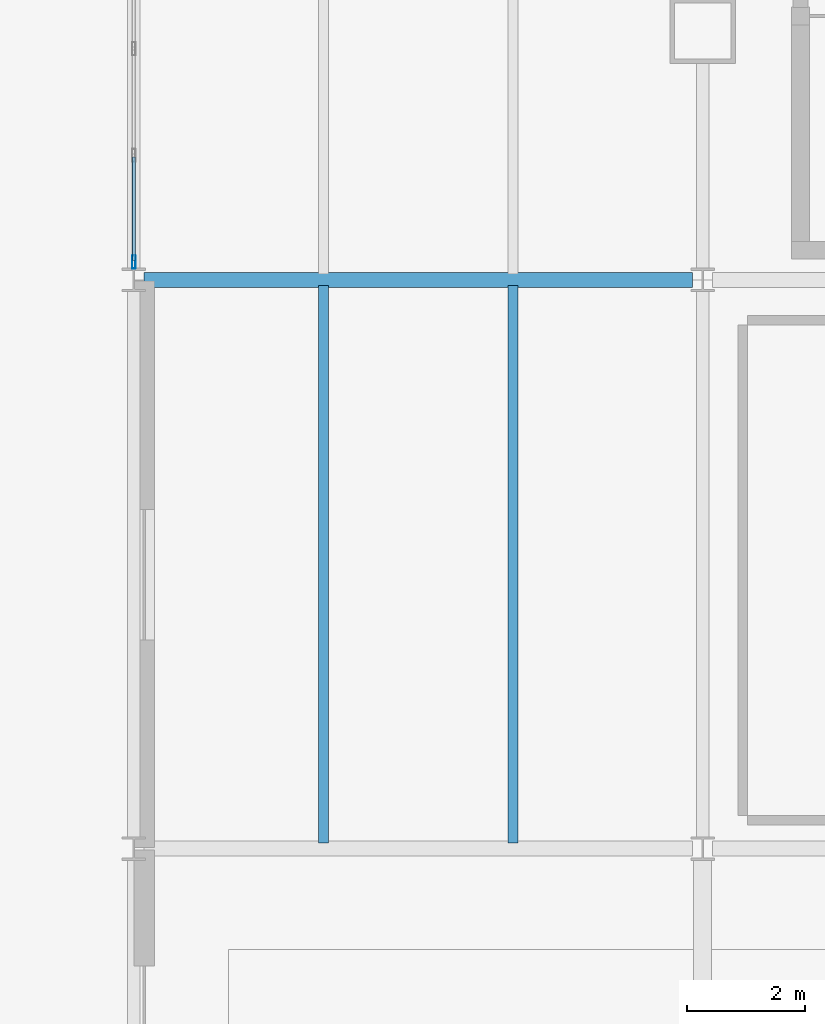
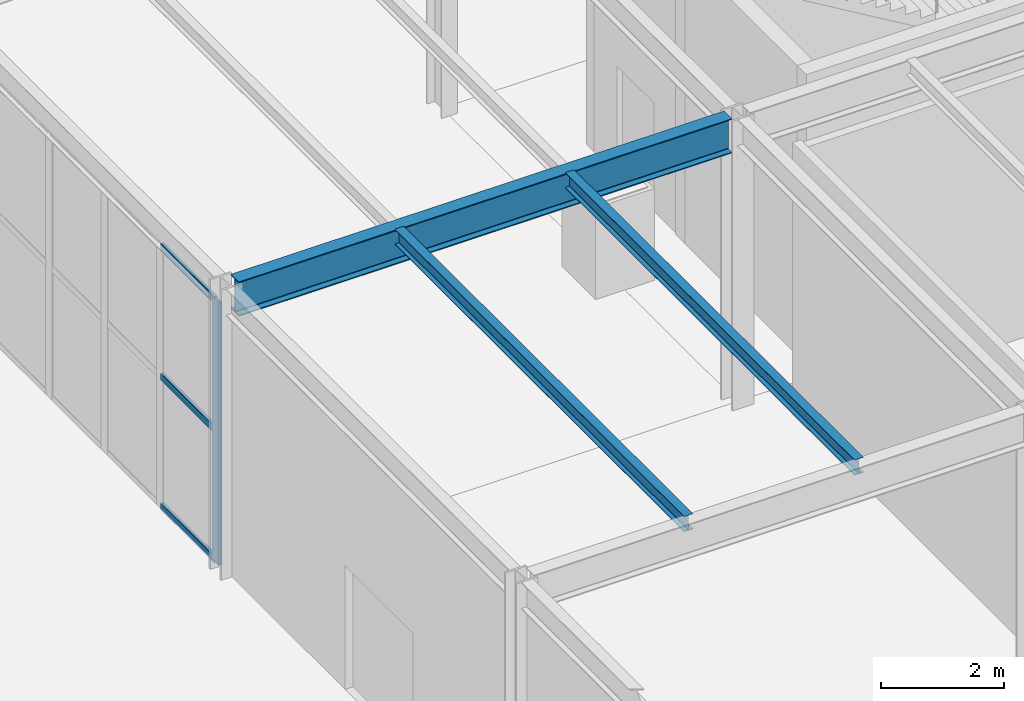
# One storey, part 70 of 142: 4 members, 3 beams, 1 element without a shape of its own.
"""IFC4 building model written with IfcOpenShell, lengths in metres."""

from ifc_helpers import new_model, si_unit, direction, frame, origin, origin_2d, place, context, subcontext, project, spatial, hollow_rectangle, i_section, extrude, material, material_profile, profile_set, type_object, element, aggregate, save


model = new_model("IFC4")

# Units and contexts
model_context = context("Model", 3, precision=1e-05, world=origin(), true_north=direction((0.0, 1.0)))
body_context = subcontext(model_context, "Body", "Model", "MODEL_VIEW")
ifc_project = project(units=[si_unit("LENGTHUNIT", "METRE"), si_unit("AREAUNIT", "SQUARE_METRE"), si_unit("VOLUMEUNIT", "CUBIC_METRE"), si_unit("PLANEANGLEUNIT", "RADIAN"), si_unit("MASSUNIT", "GRAM", prefix="KILO")], contexts=[model_context])

# Site, building, storey
site_placement = place(None, origin())
site = spatial("IfcSite", under=ifc_project, at=site_placement, CompositionType="ELEMENT")
building_placement = place(site_placement, origin())
building = spatial("IfcBuilding", under=site, at=building_placement, Name="Coralgate Yard Interchange", CompositionType="ELEMENT")
storey_placement = place(building_placement, origin())
storey = spatial("IfcBuildingStorey", under=building, at=storey_placement, Name="L00", CompositionType="ELEMENT", Elevation=0.0)

# Beams
ifc_material_1 = material(Name="Structural steel S355J2", Category="steel")
ifc_material_profile_1 = material_profile(ifc_material_1, i_section(OverallWidth=0.253662109375, OverallDepth=0.68359375, WebThickness=0.012451171875, FlangeThickness=0.01904296875, FilletRadius=0.01513671875, at=origin_2d()), Name="UB 686x254x140")
ifc_profile_set_1 = profile_set([ifc_material_profile_1], Name="Structural steel S355J2")
beam_type_1 = type_object("IfcBeamType", Name="BM-SG-4", PredefinedType="BEAM", material=ifc_profile_set_1)
beam_placement = place(storey_placement, frame((38.569580078125, 76.800048828125, 5.408203125), z_axis=(1.0, 0.0, 0.0), x_axis=(0.0, 1.0, 0.0)))
element("IfcBeam", 1, at=beam_placement, inside=storey, type_object=beam_type_1, Name="L00 primary grid beam Y8 X4-5", PredefinedType="BEAM", context=body_context, shape_type="SweptSolid", body=[
    extrude(i_section(OverallWidth=0.253662109375, OverallDepth=0.68359375, WebThickness=0.012451171875, FlangeThickness=0.01904296875, FilletRadius=0.01513671875, at=origin_2d()), origin(), (0.0, 0.0, 1.0), 9.260986328125),
])
ifc_material_profile_2 = material_profile(ifc_material_1, i_section(OverallWidth=0.1650390625, OverallDepth=0.303466796875, WebThickness=0.006103515625, FlangeThickness=0.01025390625, FilletRadius=0.0087890625, at=origin_2d()), Name="UB 305x165x40")
ifc_profile_set_2 = profile_set([ifc_material_profile_2], Name="Structural steel S355J2")
beam_type_2 = type_object("IfcBeamType", Name="BM-SJ-1", PredefinedType="JOIST", material=ifc_profile_set_2)
for number, where, z_axis, x_axis, name in (
    (2, (41.60009765625, 67.296875, 5.598388671875), (0.0, 1.0, 0.0), (-1.0, 0.0, 0.0), "L00 composite floor joist 4-7-1"),
    (3, (44.800048828125, 67.296875, 5.598388671875), (0.0, 1.0, 0.0), (-1.0, 0.0, 0.0), "L00 composite floor joist 4-7-2"),
):
    element("IfcBeam", number, at=place(storey_placement, frame(where, z_axis=z_axis, x_axis=x_axis)), inside=storey, type_object=beam_type_2, Name=name, PredefinedType="JOIST", context=body_context, shape_type="SweptSolid", body=[
        extrude(i_section(OverallWidth=0.1650390625, OverallDepth=0.303466796875, WebThickness=0.006103515625, FlangeThickness=0.01025390625, FilletRadius=0.0087890625, at=origin_2d()), origin(), (0.0, 0.0, 1.0), 9.40625),
    ])

# Curtain wall, members
ifc_material_2 = material(Name="Anodised coastal aluminium and solar-control low-E glass", Category="aluminium")
curtain_wall_type = type_object("IfcCurtainWallType", Name="CW-CW-L00-B", PredefinedType="NOTDEFINED", material=ifc_material_2)
curtain_wall_placement = place(storey_placement, origin())
curtain_wall = element("IfcCurtainWall", 4, at=curtain_wall_placement, inside=storey, type_object=curtain_wall_type, Name="L00 unitised curtain wall CW-L00-W-04-08", PredefinedType="NOTDEFINED")
ifc_material_3 = material(Name="Anodised coastal aluminium 6063-T6", Category="aluminium")
ifc_material_profile_3 = material_profile(ifc_material_3, hollow_rectangle(XDim=0.06005859375, YDim=0.219970703125, WallThickness=0.00390625, InnerFilletRadius=0.00390625, OuterFilletRadius=0.008056640625, at=origin_2d()), Name="ALU 60x220x4")
ifc_profile_set_3 = profile_set([ifc_material_profile_3], Name="Anodised coastal aluminium 6063-T6")
member_type_1 = type_object("IfcMemberType", Name="MB-MUL-220", PredefinedType="MULLION", material=ifc_profile_set_3)
member_1_placement = place(storey_placement, frame((38.39990234375, 77.10009765625, 0.0), z_axis=(0.0, 0.0, 1.0), x_axis=(1.0, 0.0, 0.0)))
member_1 = element("IfcMember", 5, at=member_1_placement, type_object=member_type_1, Name="CW-L00-W-04-08 vertical mullion 1", PredefinedType="MULLION", context=body_context, shape_type="SweptSolid", body=[
    extrude(hollow_rectangle(XDim=0.06005859375, YDim=0.219970703125, WallThickness=0.00390625, InnerFilletRadius=0.00390625, OuterFilletRadius=0.008056640625, at=origin_2d()), origin(), (0.0, 0.0, 1.0), 5.216796875),
])
ifc_material_profile_4 = material_profile(ifc_material_3, hollow_rectangle(XDim=0.06005859375, YDim=0.139892578125, WallThickness=0.00341796875, InnerFilletRadius=0.00341796875, OuterFilletRadius=0.007080078125, at=origin_2d()), Name="ALU 60x140x3.5")
ifc_profile_set_4 = profile_set([ifc_material_profile_4], Name="Anodised coastal aluminium 6063-T6")
member_type_2 = type_object("IfcMemberType", Name="MB-TRN-140", PredefinedType="USERDEFINED", material=ifc_profile_set_4)
member_2_placement = place(storey_placement, frame((38.39990234375, 77.1298828125, 0.034912109375), z_axis=(0.0, 1.0, 0.0), x_axis=(-1.0, 0.0, 0.0)))
member_2 = element("IfcMember", 6, at=member_2_placement, type_object=member_type_2, Name="CW-L00-W-04-08 horizontal transom 1-1", ObjectType="TRANSOM", PredefinedType="USERDEFINED", context=body_context, shape_type="SweptSolid", body=[
    extrude(hollow_rectangle(XDim=0.06005859375, YDim=0.139892578125, WallThickness=0.00341796875, InnerFilletRadius=0.00341796875, OuterFilletRadius=0.007080078125, at=origin_2d()), origin(), (0.0, 0.0, 1.0), 1.740234375),
])
member_3_placement = place(storey_placement, frame((38.39990234375, 77.1298828125, 2.6083984375), z_axis=(0.0, 1.0, 0.0), x_axis=(-1.0, 0.0, 0.0)))
member_3 = element("IfcMember", 7, at=member_3_placement, type_object=member_type_2, Name="CW-L00-W-04-08 horizontal transom 1-2", ObjectType="TRANSOM", PredefinedType="USERDEFINED", context=body_context, shape_type="SweptSolid", body=[
    extrude(hollow_rectangle(XDim=0.06005859375, YDim=0.139892578125, WallThickness=0.00341796875, InnerFilletRadius=0.00341796875, OuterFilletRadius=0.007080078125, at=origin_2d()), origin(), (0.0, 0.0, 1.0), 1.740234375),
])
member_4_placement = place(storey_placement, frame((38.39990234375, 77.1298828125, 5.181884765625), z_axis=(0.0, 1.0, 0.0), x_axis=(-1.0, 0.0, 0.0)))
member_4 = element("IfcMember", 8, at=member_4_placement, type_object=member_type_2, Name="CW-L00-W-04-08 horizontal transom 1-3", ObjectType="TRANSOM", PredefinedType="USERDEFINED", context=body_context, shape_type="SweptSolid", body=[
    extrude(hollow_rectangle(XDim=0.06005859375, YDim=0.139892578125, WallThickness=0.00341796875, InnerFilletRadius=0.00341796875, OuterFilletRadius=0.007080078125, at=origin_2d()), origin(), (0.0, 0.0, 1.0), 1.740234375),
])
aggregate(curtain_wall, [member_1, member_2, member_3, member_4])

save(model, "model.ifc")
